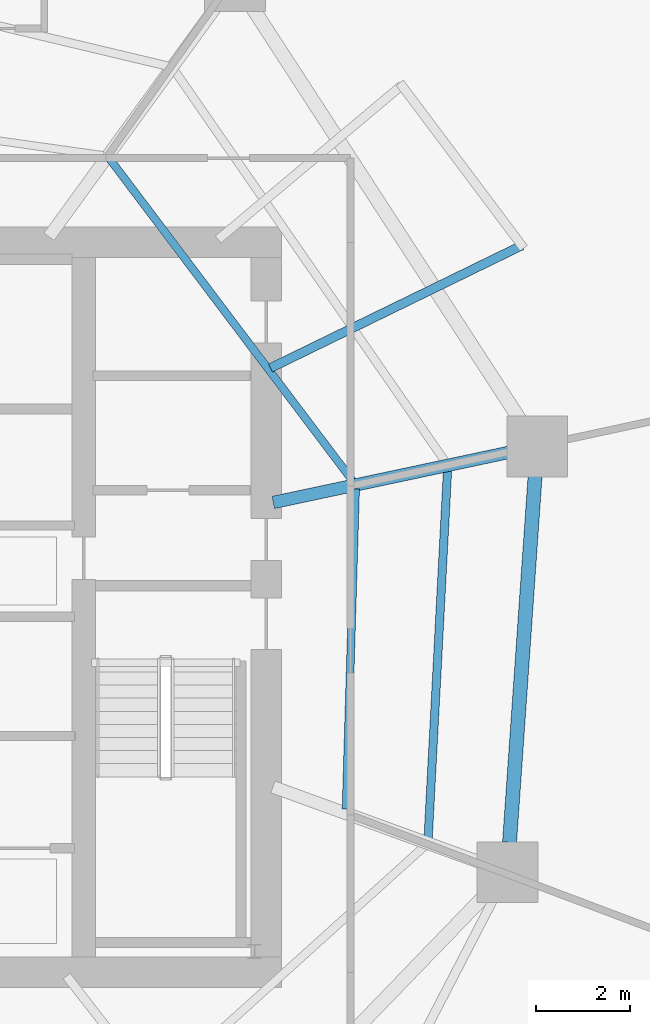
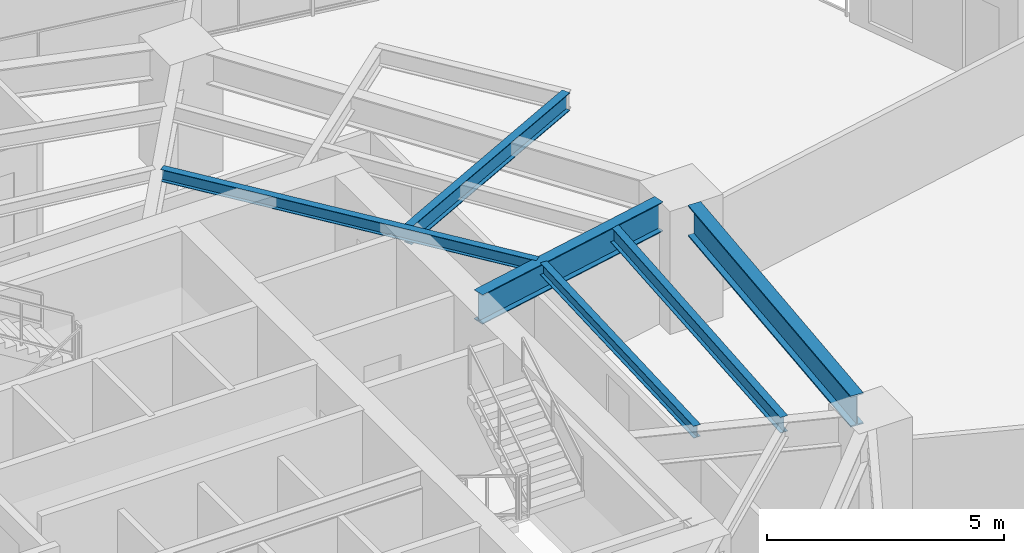
# One storey, part 13 of 31: 6 beams.
"""IFC4 building model written with IfcOpenShell, lengths in metres."""

from ifc_helpers import new_model, si_unit, direction, frame, origin, origin_2d, place, context, subcontext, project, spatial, i_section, extrude, material, material_profile, profile_set, type_object, element, save


model = new_model("IFC4")

# Units and contexts
model_context = context("Model", 3, precision=1e-05, world=origin(), true_north=direction((0.0, 1.0)))
body_context = subcontext(model_context, "Body", "Model", "MODEL_VIEW")
ifc_project = project(units=[si_unit("LENGTHUNIT", "METRE"), si_unit("AREAUNIT", "SQUARE_METRE"), si_unit("VOLUMEUNIT", "CUBIC_METRE"), si_unit("PLANEANGLEUNIT", "RADIAN"), si_unit("MASSUNIT", "GRAM", prefix="KILO")], contexts=[model_context])

# Site, building, storey
site_placement = place(None, origin())
site = spatial("IfcSite", under=ifc_project, at=site_placement, CompositionType="ELEMENT")
building_placement = place(site_placement, origin())
building = spatial("IfcBuilding", under=site, at=building_placement, Name="Qarnah Convention Tower", CompositionType="ELEMENT")
storey_placement = place(building_placement, frame((0.0, 0.0, 33.89990234375)))
storey = spatial("IfcBuildingStorey", under=building, at=storey_placement, Name="L07", CompositionType="ELEMENT", Elevation=33.89990234375)

# Beams
ifc_material = material(Name="Structural steel S355JR", Category="steel")
ifc_material_profile_1 = material_profile(ifc_material, i_section(OverallWidth=0.19189453125, OverallDepth=0.464111328125, WebThickness=0.010986328125, FlangeThickness=0.01806640625, at=origin_2d()), Name="W460X89")
ifc_profile_set_1 = profile_set([ifc_material_profile_1], Name="Structural steel S355JR")
beam_type_1 = type_object("IfcBeamType", Name="BM-CANT-W460A", PredefinedType="BEAM", material=ifc_profile_set_1)
beam_1_placement = place(storey_placement, frame((47.68994140625, 31.51611328125, 2.93798828125), z_axis=(0.898845814475, 0.438264990388, 0.0), x_axis=(-0.438264990388, 0.898845814475, 0.0)))
element("IfcBeam", 1, at=beam_1_placement, inside=storey, type_object=beam_type_1, Name="L07 beam BM-L07-CNT-01-1", PredefinedType="BEAM", context=body_context, shape_type="SweptSolid", body=[
    extrude(i_section(OverallWidth=0.19189453125, OverallDepth=0.464111328125, WebThickness=0.010986328125, FlangeThickness=0.01806640625, at=origin_2d()), origin(), (0.0, 0.0, 1.0), 5.973388671875),
])
ifc_material_profile_2 = material_profile(ifc_material, i_section(OverallWidth=0.166015625, OverallDepth=0.31201171875, WebThickness=0.007080078125, FlangeThickness=0.010986328125, at=origin_2d()), Name="W310X45")
ifc_profile_set_2 = profile_set([ifc_material_profile_2], Name="Structural steel S355JR")
beam_type_2 = type_object("IfcBeamType", Name="BM-JST-W310", PredefinedType="JOIST", material=ifc_profile_set_2)
beam_2_placement = place(storey_placement, frame((49.4560546875, 29.089111328125, 3.01416015625), z_axis=(-0.602443320638, 0.798161666217, 0.0), x_axis=(-0.798161666217, -0.602443320638, 0.0)))
element("IfcBeam", 2, at=beam_2_placement, inside=storey, type_object=beam_type_2, Name="L07 joist BM-L07-IJST-01", PredefinedType="JOIST", context=body_context, shape_type="SweptSolid", body=[
    extrude(i_section(OverallWidth=0.166015625, OverallDepth=0.31201171875, WebThickness=0.007080078125, FlangeThickness=0.010986328125, at=origin_2d()), origin(), (0.0, 0.0, 1.0), 8.623291015625),
])
beam_3_placement = place(storey_placement, frame((49.302978515625, 22.0859375, 3.01416015625), z_axis=(0.029821497478, 0.999555240238, 0.0), x_axis=(-0.999555240238, 0.029821497478, 0.0)))
element("IfcBeam", 3, at=beam_3_placement, inside=storey, type_object=beam_type_2, Name="L07 joist BM-L07-IJST-09", PredefinedType="JOIST", context=body_context, shape_type="SweptSolid", body=[
    extrude(i_section(OverallWidth=0.166015625, OverallDepth=0.31201171875, WebThickness=0.007080078125, FlangeThickness=0.010986328125, at=origin_2d()), origin(), (0.0, 0.0, 1.0), 6.843994140625),
])
ifc_material_profile_3 = material_profile(ifc_material, i_section(OverallWidth=0.177978515625, OverallDepth=0.407958984375, WebThickness=0.008056640625, FlangeThickness=0.012939453125, at=origin_2d()), Name="W410X60")
ifc_profile_set_3 = profile_set([ifc_material_profile_3], Name="Structural steel S355JR")
beam_type_3 = type_object("IfcBeamType", Name="BM-JST-W410", PredefinedType="JOIST", material=ifc_profile_set_3)
beam_4_placement = place(storey_placement, frame((51.056884765625, 21.448974609375, 2.966064453125), z_axis=(0.052613933491, 0.998614927789, 0.0), x_axis=(-0.998614927789, 0.052613933491, 0.0)))
element("IfcBeam", 4, at=beam_4_placement, inside=storey, type_object=beam_type_3, Name="L07 joist BM-L07-SJST-09", PredefinedType="JOIST", context=body_context, shape_type="SweptSolid", body=[
    extrude(i_section(OverallWidth=0.177978515625, OverallDepth=0.407958984375, WebThickness=0.008056640625, FlangeThickness=0.012939453125, at=origin_2d()), origin(), (0.0, 0.0, 1.0), 7.906982421875),
])
ifc_material_profile_4 = material_profile(ifc_material, i_section(OverallWidth=0.26806640625, OverallDepth=0.760009765625, WebThickness=0.014892578125, FlangeThickness=0.02197265625, at=origin_2d()), Name="W760X185")
ifc_profile_set_4 = profile_set([ifc_material_profile_4], Name="Structural steel S355JR")
beam_type_4 = type_object("IfcBeamType", Name="BM-RAD-W760", PredefinedType="BEAM", material=ifc_profile_set_4)
beam_5_placement = place(storey_placement, frame((47.7470703125, 28.64208984375, 2.7900390625), z_axis=(0.978155710431, 0.207873534031, 0.0), x_axis=(-0.207873534031, 0.978155710431, 0.0)))
element("IfcBeam", 5, at=beam_5_placement, inside=storey, type_object=beam_type_4, Name="L07 beam BM-L07-RAD-01", PredefinedType="BEAM", context=body_context, shape_type="SweptSolid", body=[
    extrude(i_section(OverallWidth=0.26806640625, OverallDepth=0.760009765625, WebThickness=0.014892578125, FlangeThickness=0.02197265625, at=origin_2d()), origin(), (0.0, 0.0, 1.0), 5.13720703125),
])
ifc_material_profile_5 = material_profile(ifc_material, i_section(OverallWidth=0.300048828125, OverallDepth=0.800048828125, WebThickness=0.01806640625, FlangeThickness=0.032958984375, at=origin_2d()), Name="HEB800")
ifc_profile_set_5 = profile_set([ifc_material_profile_5], Name="Structural steel S355JR")
beam_type_5 = type_object("IfcBeamType", Name="BM-RING-HEB800", PredefinedType="BEAM", material=ifc_profile_set_5)
beam_6_placement = place(storey_placement, frame((52.797119140625, 21.3779296875, 2.77001953125), z_axis=(0.069594661237, 0.997575352105, 0.0), x_axis=(-0.997575352105, 0.069594661237, 0.0)))
element("IfcBeam", 6, at=beam_6_placement, inside=storey, type_object=beam_type_5, Name="L07 beam BM-L07-SPN-09", PredefinedType="BEAM", context=body_context, shape_type="SweptSolid", body=[
    extrude(i_section(OverallWidth=0.300048828125, OverallDepth=0.800048828125, WebThickness=0.01806640625, FlangeThickness=0.032958984375, at=origin_2d()), origin(), (0.0, 0.0, 1.0), 7.843994140625),
])

save(model, "model.ifc")
